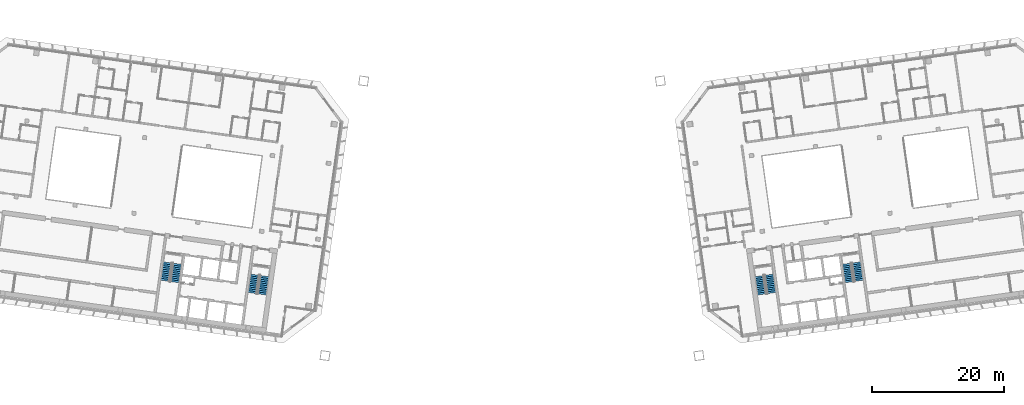
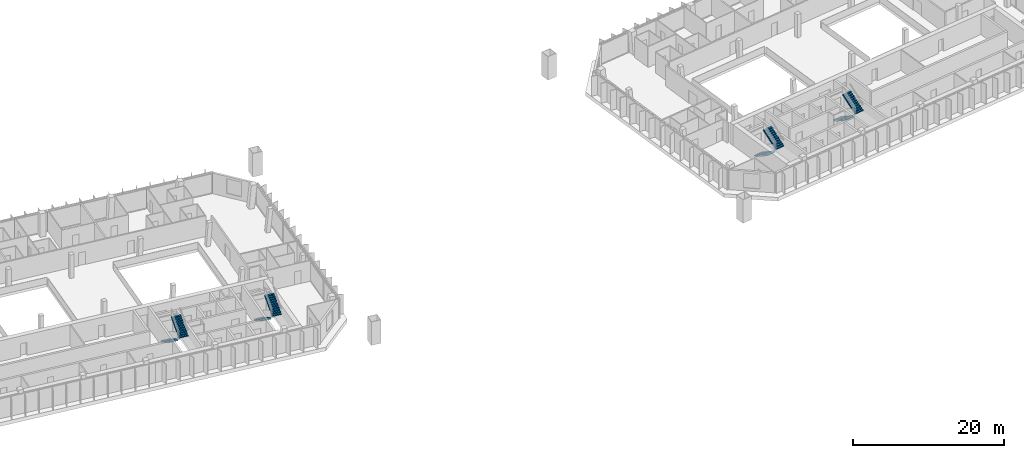
# One storey, part 21 of 23: 8 stair flights, 4 elements without a shape of their own.
"""IFC4 building model written with IfcOpenShell, lengths in metres."""

from ifc_helpers import new_model, si_unit, direction, frame, origin, place, context, subcontext, project, spatial, polyline, outline, extrude, material, type_object, element, aggregate, save


model = new_model("IFC4")

# Units and contexts
model_context = context("Model", 3, precision=1e-05, world=origin(), true_north=direction((0.0, 1.0)))
body_context = subcontext(model_context, "Body", "Model", "MODEL_VIEW")
ifc_project = project(units=[si_unit("LENGTHUNIT", "METRE"), si_unit("AREAUNIT", "SQUARE_METRE"), si_unit("VOLUMEUNIT", "CUBIC_METRE"), si_unit("PLANEANGLEUNIT", "RADIAN"), si_unit("MASSUNIT", "GRAM", prefix="KILO")], contexts=[model_context])

# Site, building, storey
site_placement = place(None, origin())
site = spatial("IfcSite", under=ifc_project, at=site_placement, CompositionType="ELEMENT")
building_placement = place(site_placement, origin())
building = spatial("IfcBuilding", under=site, at=building_placement, Name="Mirante Cascada Hotel Towers", CompositionType="ELEMENT")
storey_placement = place(building_placement, frame((0.0, 0.0, 195.4)))
storey = spatial("IfcBuildingStorey", under=building, at=storey_placement, Name="L46", CompositionType="ELEMENT", Elevation=195.4)

# Stair, stair flights
ifc_material_1 = material(Name="Concrete C35/45", Category="concrete")
stair_type = type_object("IfcStairType", Name="Exit stair half-turn 1350 concrete C35/45", PredefinedType="HALF_TURN_STAIR", material=ifc_material_1)
stair_1_placement = place(storey_placement, origin())
stair_1 = element("IfcStair", 1, at=stair_1_placement, inside=storey, type_object=stair_type, Name="L46 Exit stair A", PredefinedType="HALF_TURN_STAIR")
ifc_material_2 = material(Name="Concrete C35/45", Category="concrete")
stair_flight_type = type_object("IfcStairFlightType", Name="Exit stair flight 1350 concrete C35/45", PredefinedType="STRAIGHT", material=ifc_material_2)
stair_flight_1_placement = place(storey_placement, frame((-38.9417, -11.195, 0.0), z_axis=(0.0, 0.0, 1.0), x_axis=(-0.1391731, -0.9902681, 0.0)))
stair_flight_1 = element("IfcStairFlight", 2, at=stair_flight_1_placement, type_object=stair_flight_type, Name="ST1-A flight 1", NumberOfRisers=11, NumberOfTreads=10, PredefinedType="STRAIGHT", RiserHeight=0.172727273, TreadLength=0.28, context=body_context, shape_type="SweptSolid", body=[
    extrude(outline(polyline([(0.0, 0.0), (0.0, 0.1727), (0.28, 0.1727), (0.28, 0.3455), (0.56, 0.3455), (0.56, 0.5182), (0.84, 0.5182), (0.84, 0.6909), (1.12, 0.6909), (1.12, 0.8636), (1.4, 0.8636), (1.4, 1.0364), (1.68, 1.0364), (1.68, 1.2091), (1.96, 1.2091), (1.96, 1.3818), (2.24, 1.3818), (2.24, 1.5545), (2.52, 1.5545), (2.52, 1.7273), (2.8, 1.7273), (2.8, 1.9), (2.8, 1.551), (0.2857, 0.0), (0.0, 0.0)])), frame((0.0, 0.675, 0.0), z_axis=(0.0, -1.0, 0.0), x_axis=(1.0, 0.0, 0.0)), (0.0, 0.0, 1.0), 1.35),
])
stair_flight_2_placement = place(storey_placement, frame((-37.846, -14.1765, 1.9), z_axis=(0.0, 0.0, 1.0), x_axis=(0.1391731, 0.9902681, 0.0)))
stair_flight_2 = element("IfcStairFlight", 3, at=stair_flight_2_placement, type_object=stair_flight_type, Name="ST1-A flight 2", NumberOfRisers=11, NumberOfTreads=10, PredefinedType="STRAIGHT", RiserHeight=0.172727273, TreadLength=0.28, context=body_context, shape_type="SweptSolid", body=[
    extrude(outline(polyline([(0.0, 0.0), (0.0, 0.1727), (0.28, 0.1727), (0.28, 0.3455), (0.56, 0.3455), (0.56, 0.5182), (0.84, 0.5182), (0.84, 0.6909), (1.12, 0.6909), (1.12, 0.8636), (1.4, 0.8636), (1.4, 1.0364), (1.68, 1.0364), (1.68, 1.2091), (1.96, 1.2091), (1.96, 1.3818), (2.24, 1.3818), (2.24, 1.5545), (2.52, 1.5545), (2.52, 1.7273), (2.8, 1.7273), (2.8, 1.9), (2.8, 1.551), (0.2857, 0.0), (0.0, 0.0)])), frame((0.0, 0.675, 0.0), z_axis=(0.0, -1.0, 0.0), x_axis=(1.0, 0.0, 0.0)), (0.0, 0.0, 1.0), 1.35),
])
aggregate(stair_1, [stair_flight_1, stair_flight_2])

stair_2_placement = place(storey_placement, origin())
stair_2 = element("IfcStair", 4, at=stair_2_placement, inside=storey, type_object=stair_type, Name="L46 Exit stair B", PredefinedType="HALF_TURN_STAIR")
stair_flight_3_placement = place(storey_placement, frame((-52.1618, -9.3371, 0.0), z_axis=(0.0, 0.0, 1.0), x_axis=(-0.1391731, -0.9902681, 0.0)))
stair_flight_3 = element("IfcStairFlight", 5, at=stair_flight_3_placement, type_object=stair_flight_type, Name="ST1-B flight 1", NumberOfRisers=11, NumberOfTreads=10, PredefinedType="STRAIGHT", RiserHeight=0.172727273, TreadLength=0.28, context=body_context, shape_type="SweptSolid", body=[
    extrude(outline(polyline([(0.0, 0.0), (0.0, 0.1727), (0.28, 0.1727), (0.28, 0.3455), (0.56, 0.3455), (0.56, 0.5182), (0.84, 0.5182), (0.84, 0.6909), (1.12, 0.6909), (1.12, 0.8636), (1.4, 0.8636), (1.4, 1.0364), (1.68, 1.0364), (1.68, 1.2091), (1.96, 1.2091), (1.96, 1.3818), (2.24, 1.3818), (2.24, 1.5545), (2.52, 1.5545), (2.52, 1.7273), (2.8, 1.7273), (2.8, 1.9), (2.8, 1.551), (0.2857, 0.0), (0.0, 0.0)])), frame((0.0, 0.675, 0.0), z_axis=(0.0, -1.0, 0.0), x_axis=(1.0, 0.0, 0.0)), (0.0, 0.0, 1.0), 1.35),
])
stair_flight_4_placement = place(storey_placement, frame((-51.0661, -12.3186, 1.9), z_axis=(0.0, 0.0, 1.0), x_axis=(0.1391731, 0.9902681, 0.0)))
stair_flight_4 = element("IfcStairFlight", 6, at=stair_flight_4_placement, type_object=stair_flight_type, Name="ST1-B flight 2", NumberOfRisers=11, NumberOfTreads=10, PredefinedType="STRAIGHT", RiserHeight=0.172727273, TreadLength=0.28, context=body_context, shape_type="SweptSolid", body=[
    extrude(outline(polyline([(0.0, 0.0), (0.0, 0.1727), (0.28, 0.1727), (0.28, 0.3455), (0.56, 0.3455), (0.56, 0.5182), (0.84, 0.5182), (0.84, 0.6909), (1.12, 0.6909), (1.12, 0.8636), (1.4, 0.8636), (1.4, 1.0364), (1.68, 1.0364), (1.68, 1.2091), (1.96, 1.2091), (1.96, 1.3818), (2.24, 1.3818), (2.24, 1.5545), (2.52, 1.5545), (2.52, 1.7273), (2.8, 1.7273), (2.8, 1.9), (2.8, 1.551), (0.2857, 0.0), (0.0, 0.0)])), frame((0.0, 0.675, 0.0), z_axis=(0.0, -1.0, 0.0), x_axis=(1.0, 0.0, 0.0)), (0.0, 0.0, 1.0), 1.35),
])
aggregate(stair_2, [stair_flight_3, stair_flight_4])

stair_3_placement = place(storey_placement, origin())
stair_3 = element("IfcStair", 7, at=stair_3_placement, inside=storey, type_object=stair_type, Name="L46 Exit stair A", PredefinedType="HALF_TURN_STAIR")
stair_flight_5_placement = place(storey_placement, frame((37.4563, -11.4038, 0.0), z_axis=(0.0, 0.0, 1.0), x_axis=(0.1391731, -0.9902681, 0.0)))
stair_flight_5 = element("IfcStairFlight", 8, at=stair_flight_5_placement, type_object=stair_flight_type, Name="ST2-A flight 1", NumberOfRisers=11, NumberOfTreads=10, PredefinedType="STRAIGHT", RiserHeight=0.172727273, TreadLength=0.28, context=body_context, shape_type="SweptSolid", body=[
    extrude(outline(polyline([(0.0, 0.0), (0.0, 0.1727), (0.28, 0.1727), (0.28, 0.3455), (0.56, 0.3455), (0.56, 0.5182), (0.84, 0.5182), (0.84, 0.6909), (1.12, 0.6909), (1.12, 0.8636), (1.4, 0.8636), (1.4, 1.0364), (1.68, 1.0364), (1.68, 1.2091), (1.96, 1.2091), (1.96, 1.3818), (2.24, 1.3818), (2.24, 1.5545), (2.52, 1.5545), (2.52, 1.7273), (2.8, 1.7273), (2.8, 1.9), (2.8, 1.551), (0.2857, 0.0), (0.0, 0.0)])), frame((0.0, 0.675, 0.0), z_axis=(0.0, -1.0, 0.0), x_axis=(1.0, 0.0, 0.0)), (0.0, 0.0, 1.0), 1.35),
])
stair_flight_6_placement = place(storey_placement, frame((39.3314, -13.9678, 1.9), z_axis=(0.0, 0.0, 1.0), x_axis=(-0.1391731, 0.9902681, 0.0)))
stair_flight_6 = element("IfcStairFlight", 9, at=stair_flight_6_placement, type_object=stair_flight_type, Name="ST2-A flight 2", NumberOfRisers=11, NumberOfTreads=10, PredefinedType="STRAIGHT", RiserHeight=0.172727273, TreadLength=0.28, context=body_context, shape_type="SweptSolid", body=[
    extrude(outline(polyline([(0.0, 0.0), (0.0, 0.1727), (0.28, 0.1727), (0.28, 0.3455), (0.56, 0.3455), (0.56, 0.5182), (0.84, 0.5182), (0.84, 0.6909), (1.12, 0.6909), (1.12, 0.8636), (1.4, 0.8636), (1.4, 1.0364), (1.68, 1.0364), (1.68, 1.2091), (1.96, 1.2091), (1.96, 1.3818), (2.24, 1.3818), (2.24, 1.5545), (2.52, 1.5545), (2.52, 1.7273), (2.8, 1.7273), (2.8, 1.9), (2.8, 1.551), (0.2857, 0.0), (0.0, 0.0)])), frame((0.0, 0.675, 0.0), z_axis=(0.0, -1.0, 0.0), x_axis=(1.0, 0.0, 0.0)), (0.0, 0.0, 1.0), 1.35),
])
aggregate(stair_3, [stair_flight_5, stair_flight_6])

stair_4_placement = place(storey_placement, origin())
stair_4 = element("IfcStair", 10, at=stair_4_placement, inside=storey, type_object=stair_type, Name="L46 Exit stair B", PredefinedType="HALF_TURN_STAIR")
stair_flight_7_placement = place(storey_placement, frame((50.6764, -9.5458, 0.0), z_axis=(0.0, 0.0, 1.0), x_axis=(0.1391731, -0.9902681, 0.0)))
stair_flight_7 = element("IfcStairFlight", 11, at=stair_flight_7_placement, type_object=stair_flight_type, Name="ST2-B flight 1", NumberOfRisers=11, NumberOfTreads=10, PredefinedType="STRAIGHT", RiserHeight=0.172727273, TreadLength=0.28, context=body_context, shape_type="SweptSolid", body=[
    extrude(outline(polyline([(0.0, 0.0), (0.0, 0.1727), (0.28, 0.1727), (0.28, 0.3455), (0.56, 0.3455), (0.56, 0.5182), (0.84, 0.5182), (0.84, 0.6909), (1.12, 0.6909), (1.12, 0.8636), (1.4, 0.8636), (1.4, 1.0364), (1.68, 1.0364), (1.68, 1.2091), (1.96, 1.2091), (1.96, 1.3818), (2.24, 1.3818), (2.24, 1.5545), (2.52, 1.5545), (2.52, 1.7273), (2.8, 1.7273), (2.8, 1.9), (2.8, 1.551), (0.2857, 0.0), (0.0, 0.0)])), frame((0.0, 0.675, 0.0), z_axis=(0.0, -1.0, 0.0), x_axis=(1.0, 0.0, 0.0)), (0.0, 0.0, 1.0), 1.35),
])
stair_flight_8_placement = place(storey_placement, frame((52.5515, -12.1098, 1.9), z_axis=(0.0, 0.0, 1.0), x_axis=(-0.1391731, 0.9902681, 0.0)))
stair_flight_8 = element("IfcStairFlight", 12, at=stair_flight_8_placement, type_object=stair_flight_type, Name="ST2-B flight 2", NumberOfRisers=11, NumberOfTreads=10, PredefinedType="STRAIGHT", RiserHeight=0.172727273, TreadLength=0.28, context=body_context, shape_type="SweptSolid", body=[
    extrude(outline(polyline([(0.0, 0.0), (0.0, 0.1727), (0.28, 0.1727), (0.28, 0.3455), (0.56, 0.3455), (0.56, 0.5182), (0.84, 0.5182), (0.84, 0.6909), (1.12, 0.6909), (1.12, 0.8636), (1.4, 0.8636), (1.4, 1.0364), (1.68, 1.0364), (1.68, 1.2091), (1.96, 1.2091), (1.96, 1.3818), (2.24, 1.3818), (2.24, 1.5545), (2.52, 1.5545), (2.52, 1.7273), (2.8, 1.7273), (2.8, 1.9), (2.8, 1.551), (0.2857, 0.0), (0.0, 0.0)])), frame((0.0, 0.675, 0.0), z_axis=(0.0, -1.0, 0.0), x_axis=(1.0, 0.0, 0.0)), (0.0, 0.0, 1.0), 1.35),
])
aggregate(stair_4, [stair_flight_7, stair_flight_8])

save(model, "model.ifc")
